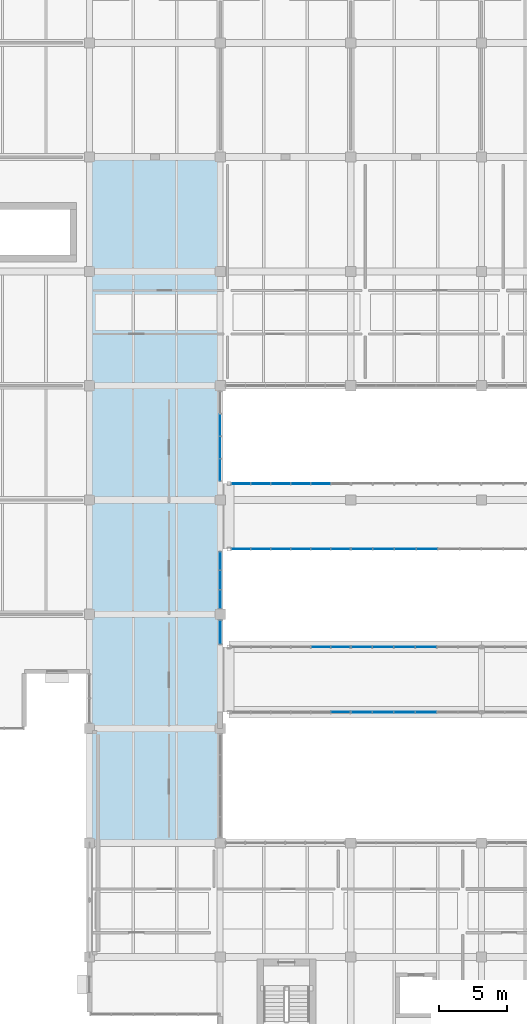
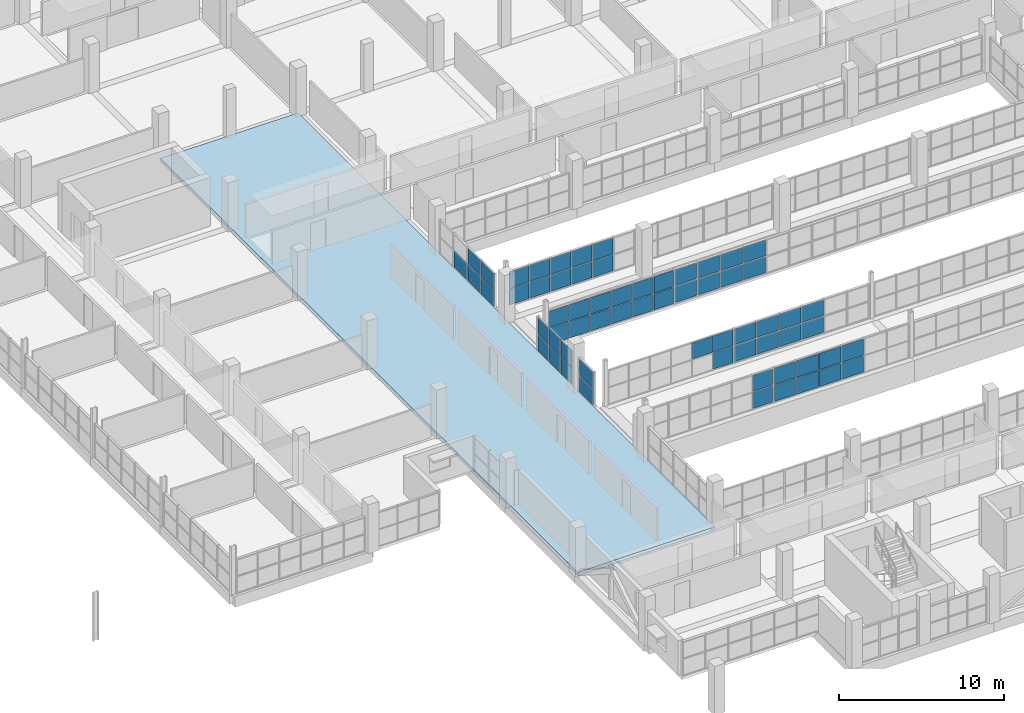
# One storey, part 100 of 147: 64 plates, 1 slab, 10 elements without a shape of their own.
"""IFC4 building model written with IfcOpenShell, lengths in metres."""

from ifc_helpers import new_model, si_unit, direction, frame, origin, origin_2d, place, context, subcontext, project, spatial, polyline, rectangle, outline, extrude, material, layer, layer_set, type_object, element, aggregate, save


model = new_model("IFC4")

# Units and contexts
model_context = context("Model", 3, precision=1e-05, world=origin(), true_north=direction((0.0, 1.0)))
body_context = subcontext(model_context, "Body", "Model", "MODEL_VIEW")
ifc_project = project(units=[si_unit("LENGTHUNIT", "METRE"), si_unit("AREAUNIT", "SQUARE_METRE"), si_unit("VOLUMEUNIT", "CUBIC_METRE"), si_unit("PLANEANGLEUNIT", "RADIAN"), si_unit("MASSUNIT", "GRAM", prefix="KILO")], contexts=[model_context])

# Site, building, storey
site_placement = place(None, origin())
site = spatial("IfcSite", under=ifc_project, at=site_placement, CompositionType="ELEMENT")
building_placement = place(site_placement, origin())
building = spatial("IfcBuilding", under=site, at=building_placement, Name="Oolite Switchyard Hospital", CompositionType="ELEMENT")
storey_placement = place(building_placement, frame((0.0, 0.0, 9.89990234375)))
storey = spatial("IfcBuildingStorey", under=building, at=storey_placement, Name="L02", CompositionType="ELEMENT", Elevation=9.89990234375)

# Curtain wall, plates
ifc_material_1 = material(Name="Thermally broken aluminum frame with laminated impact glazing", Category="aluminium")
curtain_wall_type_1 = type_object("IfcCurtainWallType", Name="CW-BRG-96X38", PredefinedType="USERDEFINED", material=ifc_material_1)
curtain_wall_1_placement = place(storey_placement, origin())
curtain_wall_1 = element("IfcCurtainWall", 1, at=curtain_wall_1_placement, inside=storey, type_object=curtain_wall_type_1, Name="L02 Unitised Curtain Wall 232", ObjectType="UNITISED", PredefinedType="USERDEFINED")
ifc_material_2 = material(Name="Insulated fluoropolymer-coated aluminum spandrel panel", Category="aluminium")
ifc_layer_1 = layer(ifc_material_2, 0.054931640625)
ifc_layer_set_1 = layer_set([ifc_layer_1], Name="CW-PNL-SPN55")
plate_type_1 = type_object("IfcPlateType", Name="CW-PNL-SPN55", PredefinedType="CURTAIN_PANEL", material=ifc_layer_set_1)
plate_1_placement = place(storey_placement, frame((151.39794921875, 39.60009765625, 1.31494140625), z_axis=(0.0, 0.0, 1.0), x_axis=(1.0, 0.0, 0.0)))
plate_1 = element("IfcPlate", 2, at=plate_1_placement, type_object=plate_type_1, Name="CW-12 panel 5.2", PredefinedType="CURTAIN_PANEL", context=body_context, shape_type="SweptSolid", body=[
    extrude(rectangle(XDim=1.407958984375, YDim=0.054931640625, at=origin_2d()), origin(), (0.0, 0.0, 1.0), 1.195068359375),
])
plate_2_placement = place(storey_placement, frame((152.85107421875, 39.60009765625, 0.06005859375), z_axis=(0.0, 0.0, 1.0), x_axis=(1.0, 0.0, 0.0)))
plate_2 = element("IfcPlate", 3, at=plate_2_placement, type_object=plate_type_1, Name="CW-12 panel 6.1", PredefinedType="CURTAIN_PANEL", context=body_context, shape_type="SweptSolid", body=[
    extrude(rectangle(XDim=1.3779296875, YDim=0.054931640625, at=origin_2d()), origin(), (0.0, 0.0, 1.0), 1.195068359375),
])
plate_3_placement = place(storey_placement, frame((152.85107421875, 39.60009765625, 1.31494140625), z_axis=(0.0, 0.0, 1.0), x_axis=(1.0, 0.0, 0.0)))
plate_3 = element("IfcPlate", 4, at=plate_3_placement, type_object=plate_type_1, Name="CW-12 panel 6.2", PredefinedType="CURTAIN_PANEL", context=body_context, shape_type="SweptSolid", body=[
    extrude(rectangle(XDim=1.3779296875, YDim=0.054931640625, at=origin_2d()), origin(), (0.0, 0.0, 1.0), 1.195068359375),
])
aggregate(curtain_wall_1, [plate_1, plate_2, plate_3])

curtain_wall_2_placement = place(storey_placement, origin())
curtain_wall_2 = element("IfcCurtainWall", 5, at=curtain_wall_2_placement, inside=storey, type_object=curtain_wall_type_1, Name="L02 Unitised Curtain Wall 302", ObjectType="UNITISED", PredefinedType="USERDEFINED")
plate_4_placement = place(storey_placement, frame((144.0, 45.9140625, 0.06005859375), z_axis=(0.0, 0.0, 1.0), x_axis=(0.0, -1.0, 0.0)))
plate_4 = element("IfcPlate", 6, at=plate_4_placement, type_object=plate_type_1, Name="CW-12 panel 1.1", PredefinedType="CURTAIN_PANEL", context=body_context, shape_type="SweptSolid", body=[
    extrude(rectangle(XDim=1.311767578125, YDim=0.054931640625, at=origin_2d()), origin(), (0.0, 0.0, 1.0), 1.195068359375),
])
plate_5_placement = place(storey_placement, frame((144.0, 45.9140625, 1.31494140625), z_axis=(0.0, 0.0, 1.0), x_axis=(0.0, -1.0, 0.0)))
plate_5 = element("IfcPlate", 7, at=plate_5_placement, type_object=plate_type_1, Name="CW-12 panel 1.2", PredefinedType="CURTAIN_PANEL", context=body_context, shape_type="SweptSolid", body=[
    extrude(rectangle(XDim=1.311767578125, YDim=0.054931640625, at=origin_2d()), origin(), (0.0, 0.0, 1.0), 1.195068359375),
])
plate_6_placement = place(storey_placement, frame((144.0, 44.514892578125, 0.06005859375), z_axis=(0.0, 0.0, 1.0), x_axis=(0.0, -1.0, 0.0)))
plate_6 = element("IfcPlate", 8, at=plate_6_placement, type_object=plate_type_1, Name="CW-12 panel 2.1", PredefinedType="CURTAIN_PANEL", context=body_context, shape_type="SweptSolid", body=[
    extrude(rectangle(XDim=1.3466796875, YDim=0.054931640625, at=origin_2d()), origin(), (0.0, 0.0, 1.0), 1.195068359375),
])
plate_7_placement = place(storey_placement, frame((144.0, 44.514892578125, 1.31494140625), z_axis=(0.0, 0.0, 1.0), x_axis=(0.0, -1.0, 0.0)))
plate_7 = element("IfcPlate", 9, at=plate_7_placement, type_object=plate_type_1, Name="CW-12 panel 2.2", PredefinedType="CURTAIN_PANEL", context=body_context, shape_type="SweptSolid", body=[
    extrude(rectangle(XDim=1.3466796875, YDim=0.054931640625, at=origin_2d()), origin(), (0.0, 0.0, 1.0), 1.195068359375),
])
plate_8_placement = place(storey_placement, frame((144.0, 43.11572265625, 0.06005859375), z_axis=(0.0, 0.0, 1.0), x_axis=(0.0, -1.0, 0.0)))
plate_8 = element("IfcPlate", 10, at=plate_8_placement, type_object=plate_type_1, Name="CW-12 panel 3.1", PredefinedType="CURTAIN_PANEL", context=body_context, shape_type="SweptSolid", body=[
    extrude(rectangle(XDim=1.311767578125, YDim=0.054931640625, at=origin_2d()), origin(), (0.0, 0.0, 1.0), 1.195068359375),
])
plate_9_placement = place(storey_placement, frame((144.0, 43.11572265625, 1.31494140625), z_axis=(0.0, 0.0, 1.0), x_axis=(0.0, -1.0, 0.0)))
plate_9 = element("IfcPlate", 11, at=plate_9_placement, type_object=plate_type_1, Name="CW-12 panel 3.2", PredefinedType="CURTAIN_PANEL", context=body_context, shape_type="SweptSolid", body=[
    extrude(rectangle(XDim=1.311767578125, YDim=0.054931640625, at=origin_2d()), origin(), (0.0, 0.0, 1.0), 1.195068359375),
])
aggregate(curtain_wall_2, [plate_4, plate_5, plate_6, plate_7, plate_8, plate_9])

curtain_wall_3_placement = place(storey_placement, origin())
curtain_wall_3 = element("IfcCurtainWall", 12, at=curtain_wall_3_placement, inside=storey, type_object=curtain_wall_type_1, Name="L02 Unitised Curtain Wall 230", ObjectType="UNITISED", PredefinedType="USERDEFINED")
ifc_layer_2 = layer(ifc_material_2, 0.070068359375)
ifc_layer_set_2 = layer_set([ifc_layer_2], Name="CW-PNL-SPN70")
plate_type_2 = type_object("IfcPlateType", Name="CW-PNL-SPN70", PredefinedType="CURTAIN_PANEL", material=ifc_layer_set_2)
plate_10_placement = place(storey_placement, frame((159.1171875, 34.800048828125, 0.06005859375), z_axis=(0.0, 0.0, 1.0), x_axis=(-1.0, 0.0, 0.0)))
plate_10 = element("IfcPlate", 13, at=plate_10_placement, type_object=plate_type_2, Name="CW-12 panel 3.1", PredefinedType="CURTAIN_PANEL", context=body_context, shape_type="SweptSolid", body=[
    extrude(rectangle(XDim=1.50634765625, YDim=0.070068359375, at=origin_2d()), origin(), (0.0, 0.0, 1.0), 1.195068359375),
])
plate_11_placement = place(storey_placement, frame((159.1171875, 34.800048828125, 1.31494140625), z_axis=(0.0, 0.0, 1.0), x_axis=(-1.0, 0.0, 0.0)))
plate_11 = element("IfcPlate", 14, at=plate_11_placement, type_object=plate_type_2, Name="CW-12 panel 3.2", PredefinedType="CURTAIN_PANEL", context=body_context, shape_type="SweptSolid", body=[
    extrude(rectangle(XDim=1.50634765625, YDim=0.070068359375, at=origin_2d()), origin(), (0.0, 0.0, 1.0), 1.195068359375),
])
plate_12_placement = place(storey_placement, frame((157.540771484375, 34.800048828125, 0.06005859375), z_axis=(0.0, 0.0, 1.0), x_axis=(-1.0, 0.0, 0.0)))
plate_12 = element("IfcPlate", 15, at=plate_12_placement, type_object=plate_type_2, Name="CW-12 panel 4.1", PredefinedType="CURTAIN_PANEL", context=body_context, shape_type="SweptSolid", body=[
    extrude(rectangle(XDim=1.50634765625, YDim=0.070068359375, at=origin_2d()), origin(), (0.0, 0.0, 1.0), 1.195068359375),
])
plate_13_placement = place(storey_placement, frame((157.540771484375, 34.800048828125, 1.31494140625), z_axis=(0.0, 0.0, 1.0), x_axis=(-1.0, 0.0, 0.0)))
plate_13 = element("IfcPlate", 16, at=plate_13_placement, type_object=plate_type_2, Name="CW-12 panel 4.2", PredefinedType="CURTAIN_PANEL", context=body_context, shape_type="SweptSolid", body=[
    extrude(rectangle(XDim=1.50634765625, YDim=0.070068359375, at=origin_2d()), origin(), (0.0, 0.0, 1.0), 1.195068359375),
])
plate_14_placement = place(storey_placement, frame((155.964599609375, 34.800048828125, 0.06005859375), z_axis=(0.0, 0.0, 1.0), x_axis=(-1.0, 0.0, 0.0)))
plate_14 = element("IfcPlate", 17, at=plate_14_placement, type_object=plate_type_2, Name="CW-12 panel 5.1", PredefinedType="CURTAIN_PANEL", context=body_context, shape_type="SweptSolid", body=[
    extrude(rectangle(XDim=1.50634765625, YDim=0.070068359375, at=origin_2d()), origin(), (0.0, 0.0, 1.0), 1.195068359375),
])
plate_15_placement = place(storey_placement, frame((155.964599609375, 34.800048828125, 1.31494140625), z_axis=(0.0, 0.0, 1.0), x_axis=(-1.0, 0.0, 0.0)))
plate_15 = element("IfcPlate", 18, at=plate_15_placement, type_object=plate_type_2, Name="CW-12 panel 5.2", PredefinedType="CURTAIN_PANEL", context=body_context, shape_type="SweptSolid", body=[
    extrude(rectangle(XDim=1.50634765625, YDim=0.070068359375, at=origin_2d()), origin(), (0.0, 0.0, 1.0), 1.195068359375),
])
plate_16_placement = place(storey_placement, frame((154.40576171875, 34.800048828125, 0.06005859375), z_axis=(0.0, 0.0, 1.0), x_axis=(-1.0, 0.0, 0.0)))
plate_16 = element("IfcPlate", 19, at=plate_16_placement, type_object=plate_type_2, Name="CW-12 panel 6.1", PredefinedType="CURTAIN_PANEL", context=body_context, shape_type="SweptSolid", body=[
    extrude(rectangle(XDim=1.471435546875, YDim=0.070068359375, at=origin_2d()), origin(), (0.0, 0.0, 1.0), 1.195068359375),
])
plate_17_placement = place(storey_placement, frame((154.40576171875, 34.800048828125, 1.31494140625), z_axis=(0.0, 0.0, 1.0), x_axis=(-1.0, 0.0, 0.0)))
plate_17 = element("IfcPlate", 20, at=plate_17_placement, type_object=plate_type_2, Name="CW-12 panel 6.2", PredefinedType="CURTAIN_PANEL", context=body_context, shape_type="SweptSolid", body=[
    extrude(rectangle(XDim=1.471435546875, YDim=0.070068359375, at=origin_2d()), origin(), (0.0, 0.0, 1.0), 1.195068359375),
])
aggregate(curtain_wall_3, [plate_10, plate_11, plate_12, plate_13, plate_14, plate_15, plate_16, plate_17])

curtain_wall_4_placement = place(storey_placement, origin())
curtain_wall_4 = element("IfcCurtainWall", 21, at=curtain_wall_4_placement, inside=storey, type_object=curtain_wall_type_1, Name="L02 Unitised Curtain Wall 236", ObjectType="UNITISED", PredefinedType="USERDEFINED")
plate_18_placement = place(storey_placement, frame((152.848388671875, 46.800048828125, 0.06005859375), z_axis=(0.0, 0.0, 1.0), x_axis=(-1.0, 0.0, 0.0)))
plate_18 = element("IfcPlate", 22, at=plate_18_placement, type_object=plate_type_2, Name="CW-12 panel 1.1", PredefinedType="CURTAIN_PANEL", context=body_context, shape_type="SweptSolid", body=[
    extrude(rectangle(XDim=1.363037109375, YDim=0.070068359375, at=origin_2d()), origin(), (0.0, 0.0, 1.0), 1.195068359375),
])
plate_19_placement = place(storey_placement, frame((152.848388671875, 46.800048828125, 1.31494140625), z_axis=(0.0, 0.0, 1.0), x_axis=(-1.0, 0.0, 0.0)))
plate_19 = element("IfcPlate", 23, at=plate_19_placement, type_object=plate_type_2, Name="CW-12 panel 1.2", PredefinedType="CURTAIN_PANEL", context=body_context, shape_type="SweptSolid", body=[
    extrude(rectangle(XDim=1.363037109375, YDim=0.070068359375, at=origin_2d()), origin(), (0.0, 0.0, 1.0), 1.195068359375),
])
plate_20_placement = place(storey_placement, frame((151.39794921875, 46.800048828125, 0.06005859375), z_axis=(0.0, 0.0, 1.0), x_axis=(-1.0, 0.0, 0.0)))
plate_20 = element("IfcPlate", 24, at=plate_20_placement, type_object=plate_type_2, Name="CW-12 panel 2.1", PredefinedType="CURTAIN_PANEL", context=body_context, shape_type="SweptSolid", body=[
    extrude(rectangle(XDim=1.39794921875, YDim=0.070068359375, at=origin_2d()), origin(), (0.0, 0.0, 1.0), 1.195068359375),
])
plate_21_placement = place(storey_placement, frame((151.39794921875, 46.800048828125, 1.31494140625), z_axis=(0.0, 0.0, 1.0), x_axis=(-1.0, 0.0, 0.0)))
plate_21 = element("IfcPlate", 25, at=plate_21_placement, type_object=plate_type_2, Name="CW-12 panel 2.2", PredefinedType="CURTAIN_PANEL", context=body_context, shape_type="SweptSolid", body=[
    extrude(rectangle(XDim=1.39794921875, YDim=0.070068359375, at=origin_2d()), origin(), (0.0, 0.0, 1.0), 1.195068359375),
])
plate_22_placement = place(storey_placement, frame((149.929931640625, 46.800048828125, 0.06005859375), z_axis=(0.0, 0.0, 1.0), x_axis=(-1.0, 0.0, 0.0)))
plate_22 = element("IfcPlate", 26, at=plate_22_placement, type_object=plate_type_2, Name="CW-12 panel 3.1", PredefinedType="CURTAIN_PANEL", context=body_context, shape_type="SweptSolid", body=[
    extrude(rectangle(XDim=1.39794921875, YDim=0.070068359375, at=origin_2d()), origin(), (0.0, 0.0, 1.0), 1.195068359375),
])
plate_23_placement = place(storey_placement, frame((149.929931640625, 46.800048828125, 1.31494140625), z_axis=(0.0, 0.0, 1.0), x_axis=(-1.0, 0.0, 0.0)))
plate_23 = element("IfcPlate", 27, at=plate_23_placement, type_object=plate_type_2, Name="CW-12 panel 3.2", PredefinedType="CURTAIN_PANEL", context=body_context, shape_type="SweptSolid", body=[
    extrude(rectangle(XDim=1.39794921875, YDim=0.070068359375, at=origin_2d()), origin(), (0.0, 0.0, 1.0), 1.195068359375),
])
plate_24_placement = place(storey_placement, frame((148.4619140625, 46.800048828125, 0.06005859375), z_axis=(0.0, 0.0, 1.0), x_axis=(-1.0, 0.0, 0.0)))
plate_24 = element("IfcPlate", 28, at=plate_24_placement, type_object=plate_type_2, Name="CW-12 panel 4.1", PredefinedType="CURTAIN_PANEL", context=body_context, shape_type="SweptSolid", body=[
    extrude(rectangle(XDim=1.39794921875, YDim=0.070068359375, at=origin_2d()), origin(), (0.0, 0.0, 1.0), 1.195068359375),
])
plate_25_placement = place(storey_placement, frame((148.4619140625, 46.800048828125, 1.31494140625), z_axis=(0.0, 0.0, 1.0), x_axis=(-1.0, 0.0, 0.0)))
plate_25 = element("IfcPlate", 29, at=plate_25_placement, type_object=plate_type_2, Name="CW-12 panel 4.2", PredefinedType="CURTAIN_PANEL", context=body_context, shape_type="SweptSolid", body=[
    extrude(rectangle(XDim=1.39794921875, YDim=0.070068359375, at=origin_2d()), origin(), (0.0, 0.0, 1.0), 1.195068359375),
])
plate_26_placement = place(storey_placement, frame((146.993896484375, 46.800048828125, 0.06005859375), z_axis=(0.0, 0.0, 1.0), x_axis=(-1.0, 0.0, 0.0)))
plate_26 = element("IfcPlate", 30, at=plate_26_placement, type_object=plate_type_2, Name="CW-12 panel 5.1", PredefinedType="CURTAIN_PANEL", context=body_context, shape_type="SweptSolid", body=[
    extrude(rectangle(XDim=1.39794921875, YDim=0.070068359375, at=origin_2d()), origin(), (0.0, 0.0, 1.0), 1.195068359375),
])
plate_27_placement = place(storey_placement, frame((146.993896484375, 46.800048828125, 1.31494140625), z_axis=(0.0, 0.0, 1.0), x_axis=(-1.0, 0.0, 0.0)))
plate_27 = element("IfcPlate", 31, at=plate_27_placement, type_object=plate_type_2, Name="CW-12 panel 5.2", PredefinedType="CURTAIN_PANEL", context=body_context, shape_type="SweptSolid", body=[
    extrude(rectangle(XDim=1.39794921875, YDim=0.070068359375, at=origin_2d()), origin(), (0.0, 0.0, 1.0), 1.195068359375),
])
plate_28_placement = place(storey_placement, frame((145.54345703125, 46.800048828125, 0.06005859375), z_axis=(0.0, 0.0, 1.0), x_axis=(-1.0, 0.0, 0.0)))
plate_28 = element("IfcPlate", 32, at=plate_28_placement, type_object=plate_type_2, Name="CW-12 panel 6.1", PredefinedType="CURTAIN_PANEL", context=body_context, shape_type="SweptSolid", body=[
    extrude(rectangle(XDim=1.363037109375, YDim=0.070068359375, at=origin_2d()), origin(), (0.0, 0.0, 1.0), 1.195068359375),
])
plate_29_placement = place(storey_placement, frame((145.54345703125, 46.800048828125, 1.31494140625), z_axis=(0.0, 0.0, 1.0), x_axis=(-1.0, 0.0, 0.0)))
plate_29 = element("IfcPlate", 33, at=plate_29_placement, type_object=plate_type_2, Name="CW-12 panel 6.2", PredefinedType="CURTAIN_PANEL", context=body_context, shape_type="SweptSolid", body=[
    extrude(rectangle(XDim=1.363037109375, YDim=0.070068359375, at=origin_2d()), origin(), (0.0, 0.0, 1.0), 1.195068359375),
])
aggregate(curtain_wall_4, [plate_18, plate_19, plate_20, plate_21, plate_22, plate_23, plate_24, plate_25, plate_26, plate_27, plate_28, plate_29])

curtain_wall_5_placement = place(storey_placement, origin())
curtain_wall_5 = element("IfcCurtainWall", 34, at=curtain_wall_5_placement, inside=storey, type_object=curtain_wall_type_1, Name="L02 Unitised Curtain Wall 239", ObjectType="UNITISED", PredefinedType="USERDEFINED")
plate_30_placement = place(storey_placement, frame((145.54345703125, 51.60009765625, 0.0751953125), z_axis=(0.0, 0.0, 1.0), x_axis=(1.0, 0.0, 0.0)))
plate_30 = element("IfcPlate", 35, at=plate_30_placement, type_object=plate_type_2, Name="CW-12 panel 1.1", PredefinedType="CURTAIN_PANEL", context=body_context, shape_type="SweptSolid", body=[
    extrude(rectangle(XDim=1.363037109375, YDim=0.070068359375, at=origin_2d()), origin(), (0.0, 0.0, 1.0), 1.172607421875),
])
plate_31_placement = place(storey_placement, frame((145.54345703125, 51.60009765625, 1.32275390625), z_axis=(0.0, 0.0, 1.0), x_axis=(1.0, 0.0, 0.0)))
plate_31 = element("IfcPlate", 36, at=plate_31_placement, type_object=plate_type_2, Name="CW-12 panel 1.2", PredefinedType="CURTAIN_PANEL", context=body_context, shape_type="SweptSolid", body=[
    extrude(rectangle(XDim=1.363037109375, YDim=0.070068359375, at=origin_2d()), origin(), (0.0, 0.0, 1.0), 1.172607421875),
])
plate_32_placement = place(storey_placement, frame((146.993896484375, 51.60009765625, 0.0751953125), z_axis=(0.0, 0.0, 1.0), x_axis=(1.0, 0.0, 0.0)))
plate_32 = element("IfcPlate", 37, at=plate_32_placement, type_object=plate_type_2, Name="CW-12 panel 2.1", PredefinedType="CURTAIN_PANEL", context=body_context, shape_type="SweptSolid", body=[
    extrude(rectangle(XDim=1.39794921875, YDim=0.070068359375, at=origin_2d()), origin(), (0.0, 0.0, 1.0), 1.172607421875),
])
plate_33_placement = place(storey_placement, frame((146.993896484375, 51.60009765625, 1.32275390625), z_axis=(0.0, 0.0, 1.0), x_axis=(1.0, 0.0, 0.0)))
plate_33 = element("IfcPlate", 38, at=plate_33_placement, type_object=plate_type_2, Name="CW-12 panel 2.2", PredefinedType="CURTAIN_PANEL", context=body_context, shape_type="SweptSolid", body=[
    extrude(rectangle(XDim=1.39794921875, YDim=0.070068359375, at=origin_2d()), origin(), (0.0, 0.0, 1.0), 1.172607421875),
])
plate_34_placement = place(storey_placement, frame((148.4619140625, 51.60009765625, 0.0751953125), z_axis=(0.0, 0.0, 1.0), x_axis=(1.0, 0.0, 0.0)))
plate_34 = element("IfcPlate", 39, at=plate_34_placement, type_object=plate_type_2, Name="CW-12 panel 3.1", PredefinedType="CURTAIN_PANEL", context=body_context, shape_type="SweptSolid", body=[
    extrude(rectangle(XDim=1.39794921875, YDim=0.070068359375, at=origin_2d()), origin(), (0.0, 0.0, 1.0), 1.172607421875),
])
plate_35_placement = place(storey_placement, frame((148.4619140625, 51.60009765625, 1.32275390625), z_axis=(0.0, 0.0, 1.0), x_axis=(1.0, 0.0, 0.0)))
plate_35 = element("IfcPlate", 40, at=plate_35_placement, type_object=plate_type_2, Name="CW-12 panel 3.2", PredefinedType="CURTAIN_PANEL", context=body_context, shape_type="SweptSolid", body=[
    extrude(rectangle(XDim=1.39794921875, YDim=0.070068359375, at=origin_2d()), origin(), (0.0, 0.0, 1.0), 1.172607421875),
])
plate_36_placement = place(storey_placement, frame((149.929931640625, 51.60009765625, 0.0751953125), z_axis=(0.0, 0.0, 1.0), x_axis=(1.0, 0.0, 0.0)))
plate_36 = element("IfcPlate", 41, at=plate_36_placement, type_object=plate_type_2, Name="CW-12 panel 4.1", PredefinedType="CURTAIN_PANEL", context=body_context, shape_type="SweptSolid", body=[
    extrude(rectangle(XDim=1.39794921875, YDim=0.070068359375, at=origin_2d()), origin(), (0.0, 0.0, 1.0), 1.172607421875),
])
plate_37_placement = place(storey_placement, frame((149.929931640625, 51.60009765625, 1.32275390625), z_axis=(0.0, 0.0, 1.0), x_axis=(1.0, 0.0, 0.0)))
plate_37 = element("IfcPlate", 42, at=plate_37_placement, type_object=plate_type_2, Name="CW-12 panel 4.2", PredefinedType="CURTAIN_PANEL", context=body_context, shape_type="SweptSolid", body=[
    extrude(rectangle(XDim=1.39794921875, YDim=0.070068359375, at=origin_2d()), origin(), (0.0, 0.0, 1.0), 1.172607421875),
])
plate_38_placement = place(storey_placement, frame((151.39794921875, 51.60009765625, 0.0751953125), z_axis=(0.0, 0.0, 1.0), x_axis=(1.0, 0.0, 0.0)))
plate_38 = element("IfcPlate", 43, at=plate_38_placement, type_object=plate_type_2, Name="CW-12 panel 5.1", PredefinedType="CURTAIN_PANEL", context=body_context, shape_type="SweptSolid", body=[
    extrude(rectangle(XDim=1.39794921875, YDim=0.070068359375, at=origin_2d()), origin(), (0.0, 0.0, 1.0), 1.172607421875),
])
plate_39_placement = place(storey_placement, frame((151.39794921875, 51.60009765625, 1.32275390625), z_axis=(0.0, 0.0, 1.0), x_axis=(1.0, 0.0, 0.0)))
plate_39 = element("IfcPlate", 44, at=plate_39_placement, type_object=plate_type_2, Name="CW-12 panel 5.2", PredefinedType="CURTAIN_PANEL", context=body_context, shape_type="SweptSolid", body=[
    extrude(rectangle(XDim=1.39794921875, YDim=0.070068359375, at=origin_2d()), origin(), (0.0, 0.0, 1.0), 1.172607421875),
])
aggregate(curtain_wall_5, [plate_30, plate_31, plate_32, plate_33, plate_34, plate_35, plate_36, plate_37, plate_38, plate_39])

curtain_wall_6_placement = place(storey_placement, origin())
curtain_wall_6 = element("IfcCurtainWall", 45, at=curtain_wall_6_placement, inside=storey, type_object=curtain_wall_type_1, Name="L02 Unitised Curtain Wall 303", ObjectType="UNITISED", PredefinedType="USERDEFINED")
plate_40_placement = place(storey_placement, frame((144.0, 40.68505859375, 0.0751953125), z_axis=(0.0, 0.0, 1.0), x_axis=(0.0, -1.0, 0.0)))
plate_40 = element("IfcPlate", 46, at=plate_40_placement, type_object=plate_type_2, Name="CW-12 panel 1.1", PredefinedType="CURTAIN_PANEL", context=body_context, shape_type="SweptSolid", body=[
    extrude(rectangle(XDim=1.699951171875, YDim=0.070068359375, at=origin_2d()), origin(), (0.0, 0.0, 1.0), 1.172607421875),
])
plate_41_placement = place(storey_placement, frame((144.0, 40.68505859375, 1.32275390625), z_axis=(0.0, 0.0, 1.0), x_axis=(0.0, -1.0, 0.0)))
plate_41 = element("IfcPlate", 47, at=plate_41_placement, type_object=plate_type_2, Name="CW-12 panel 1.2", PredefinedType="CURTAIN_PANEL", context=body_context, shape_type="SweptSolid", body=[
    extrude(rectangle(XDim=1.699951171875, YDim=0.070068359375, at=origin_2d()), origin(), (0.0, 0.0, 1.0), 1.172607421875),
])
aggregate(curtain_wall_6, [plate_40, plate_41])

curtain_wall_7_placement = place(storey_placement, origin())
curtain_wall_7 = element("IfcCurtainWall", 48, at=curtain_wall_7_placement, inside=storey, type_object=curtain_wall_type_1, Name="L02 Unitised Curtain Wall 233", ObjectType="UNITISED", PredefinedType="USERDEFINED")
ifc_material_3 = material(Name="Laminated hurricane-impact insulated glazing unit", Category="glass")
ifc_layer_3 = layer(ifc_material_3, 0.028076171875)
ifc_layer_set_3 = layer_set([ifc_layer_3], Name="CW-PNL-VIS28")
plate_type_3 = type_object("IfcPlateType", Name="CW-PNL-VIS28", PredefinedType="CURTAIN_PANEL", material=ifc_layer_set_3)
plate_42_placement = place(storey_placement, frame((154.40576171875, 39.60009765625, 0.0751953125), z_axis=(0.0, 0.0, 1.0), x_axis=(1.0, 0.0, 0.0)))
plate_42 = element("IfcPlate", 49, at=plate_42_placement, type_object=plate_type_3, Name="CW-12 panel 1.1", PredefinedType="CURTAIN_PANEL", context=body_context, shape_type="SweptSolid", body=[
    extrude(rectangle(XDim=1.471435546875, YDim=0.028076171875, at=origin_2d()), origin(), (0.0, 0.0, 1.0), 1.172607421875),
])
plate_43_placement = place(storey_placement, frame((154.40576171875, 39.60009765625, 1.32275390625), z_axis=(0.0, 0.0, 1.0), x_axis=(1.0, 0.0, 0.0)))
plate_43 = element("IfcPlate", 50, at=plate_43_placement, type_object=plate_type_3, Name="CW-12 panel 1.2", PredefinedType="CURTAIN_PANEL", context=body_context, shape_type="SweptSolid", body=[
    extrude(rectangle(XDim=1.471435546875, YDim=0.028076171875, at=origin_2d()), origin(), (0.0, 0.0, 1.0), 1.172607421875),
])
plate_44_placement = place(storey_placement, frame((155.964599609375, 39.60009765625, 0.0751953125), z_axis=(0.0, 0.0, 1.0), x_axis=(1.0, 0.0, 0.0)))
plate_44 = element("IfcPlate", 51, at=plate_44_placement, type_object=plate_type_3, Name="CW-12 panel 2.1", PredefinedType="CURTAIN_PANEL", context=body_context, shape_type="SweptSolid", body=[
    extrude(rectangle(XDim=1.50634765625, YDim=0.028076171875, at=origin_2d()), origin(), (0.0, 0.0, 1.0), 1.172607421875),
])
plate_45_placement = place(storey_placement, frame((155.964599609375, 39.60009765625, 1.32275390625), z_axis=(0.0, 0.0, 1.0), x_axis=(1.0, 0.0, 0.0)))
plate_45 = element("IfcPlate", 52, at=plate_45_placement, type_object=plate_type_3, Name="CW-12 panel 2.2", PredefinedType="CURTAIN_PANEL", context=body_context, shape_type="SweptSolid", body=[
    extrude(rectangle(XDim=1.50634765625, YDim=0.028076171875, at=origin_2d()), origin(), (0.0, 0.0, 1.0), 1.172607421875),
])
plate_46_placement = place(storey_placement, frame((157.540771484375, 39.60009765625, 0.0751953125), z_axis=(0.0, 0.0, 1.0), x_axis=(1.0, 0.0, 0.0)))
plate_46 = element("IfcPlate", 53, at=plate_46_placement, type_object=plate_type_3, Name="CW-12 panel 3.1", PredefinedType="CURTAIN_PANEL", context=body_context, shape_type="SweptSolid", body=[
    extrude(rectangle(XDim=1.50634765625, YDim=0.028076171875, at=origin_2d()), origin(), (0.0, 0.0, 1.0), 1.172607421875),
])
plate_47_placement = place(storey_placement, frame((157.540771484375, 39.60009765625, 1.32275390625), z_axis=(0.0, 0.0, 1.0), x_axis=(1.0, 0.0, 0.0)))
plate_47 = element("IfcPlate", 54, at=plate_47_placement, type_object=plate_type_3, Name="CW-12 panel 3.2", PredefinedType="CURTAIN_PANEL", context=body_context, shape_type="SweptSolid", body=[
    extrude(rectangle(XDim=1.50634765625, YDim=0.028076171875, at=origin_2d()), origin(), (0.0, 0.0, 1.0), 1.172607421875),
])
plate_48_placement = place(storey_placement, frame((159.1171875, 39.60009765625, 0.0751953125), z_axis=(0.0, 0.0, 1.0), x_axis=(1.0, 0.0, 0.0)))
plate_48 = element("IfcPlate", 55, at=plate_48_placement, type_object=plate_type_3, Name="CW-12 panel 4.1", PredefinedType="CURTAIN_PANEL", context=body_context, shape_type="SweptSolid", body=[
    extrude(rectangle(XDim=1.50634765625, YDim=0.028076171875, at=origin_2d()), origin(), (0.0, 0.0, 1.0), 1.172607421875),
])
plate_49_placement = place(storey_placement, frame((159.1171875, 39.60009765625, 1.32275390625), z_axis=(0.0, 0.0, 1.0), x_axis=(1.0, 0.0, 0.0)))
plate_49 = element("IfcPlate", 56, at=plate_49_placement, type_object=plate_type_3, Name="CW-12 panel 4.2", PredefinedType="CURTAIN_PANEL", context=body_context, shape_type="SweptSolid", body=[
    extrude(rectangle(XDim=1.50634765625, YDim=0.028076171875, at=origin_2d()), origin(), (0.0, 0.0, 1.0), 1.172607421875),
])
aggregate(curtain_wall_7, [plate_42, plate_43, plate_44, plate_45, plate_46, plate_47, plate_48, plate_49])

curtain_wall_8_placement = place(storey_placement, origin())
curtain_wall_8 = element("IfcCurtainWall", 57, at=curtain_wall_8_placement, inside=storey, type_object=curtain_wall_type_1, Name="L02 Unitised Curtain Wall 237", ObjectType="UNITISED", PredefinedType="USERDEFINED")
ifc_layer_4 = layer(ifc_material_3, 0.031982421875)
ifc_layer_set_4 = layer_set([ifc_layer_4], Name="CW-PNL-VIS32")
plate_type_4 = type_object("IfcPlateType", Name="CW-PNL-VIS32", PredefinedType="CURTAIN_PANEL", material=ifc_layer_set_4)
plate_50_placement = place(storey_placement, frame((159.199951171875, 46.800048828125, 0.0751953125), z_axis=(0.0, 0.0, 1.0), x_axis=(-1.0, 0.0, 0.0)))
plate_50 = element("IfcPlate", 58, at=plate_50_placement, type_object=plate_type_4, Name="CW-12 panel 9.1", PredefinedType="CURTAIN_PANEL", context=body_context, shape_type="SweptSolid", body=[
    extrude(rectangle(XDim=1.52490234375, YDim=0.031982421875, at=origin_2d()), origin(), (0.0, 0.0, 1.0), 1.172607421875),
])
plate_51_placement = place(storey_placement, frame((159.199951171875, 46.800048828125, 1.32275390625), z_axis=(0.0, 0.0, 1.0), x_axis=(-1.0, 0.0, 0.0)))
plate_51 = element("IfcPlate", 59, at=plate_51_placement, type_object=plate_type_4, Name="CW-12 panel 9.2", PredefinedType="CURTAIN_PANEL", context=body_context, shape_type="SweptSolid", body=[
    extrude(rectangle(XDim=1.52490234375, YDim=0.031982421875, at=origin_2d()), origin(), (0.0, 0.0, 1.0), 1.172607421875),
])
plate_52_placement = place(storey_placement, frame((157.60009765625, 46.800048828125, 0.0751953125), z_axis=(0.0, 0.0, 1.0), x_axis=(-1.0, 0.0, 0.0)))
plate_52 = element("IfcPlate", 60, at=plate_52_placement, type_object=plate_type_4, Name="CW-12 panel 10.1", PredefinedType="CURTAIN_PANEL", context=body_context, shape_type="SweptSolid", body=[
    extrude(rectangle(XDim=1.52490234375, YDim=0.031982421875, at=origin_2d()), origin(), (0.0, 0.0, 1.0), 1.172607421875),
])
plate_53_placement = place(storey_placement, frame((157.60009765625, 46.800048828125, 1.32275390625), z_axis=(0.0, 0.0, 1.0), x_axis=(-1.0, 0.0, 0.0)))
plate_53 = element("IfcPlate", 61, at=plate_53_placement, type_object=plate_type_4, Name="CW-12 panel 10.2", PredefinedType="CURTAIN_PANEL", context=body_context, shape_type="SweptSolid", body=[
    extrude(rectangle(XDim=1.52490234375, YDim=0.031982421875, at=origin_2d()), origin(), (0.0, 0.0, 1.0), 1.172607421875),
])
plate_54_placement = place(storey_placement, frame((156.0, 46.800048828125, 0.0751953125), z_axis=(0.0, 0.0, 1.0), x_axis=(-1.0, 0.0, 0.0)))
plate_54 = element("IfcPlate", 62, at=plate_54_placement, type_object=plate_type_4, Name="CW-12 panel 11.1", PredefinedType="CURTAIN_PANEL", context=body_context, shape_type="SweptSolid", body=[
    extrude(rectangle(XDim=1.52490234375, YDim=0.031982421875, at=origin_2d()), origin(), (0.0, 0.0, 1.0), 1.172607421875),
])
plate_55_placement = place(storey_placement, frame((156.0, 46.800048828125, 1.32275390625), z_axis=(0.0, 0.0, 1.0), x_axis=(-1.0, 0.0, 0.0)))
plate_55 = element("IfcPlate", 63, at=plate_55_placement, type_object=plate_type_4, Name="CW-12 panel 11.2", PredefinedType="CURTAIN_PANEL", context=body_context, shape_type="SweptSolid", body=[
    extrude(rectangle(XDim=1.52490234375, YDim=0.031982421875, at=origin_2d()), origin(), (0.0, 0.0, 1.0), 1.172607421875),
])
plate_56_placement = place(storey_placement, frame((154.418701171875, 46.800048828125, 0.0751953125), z_axis=(0.0, 0.0, 1.0), x_axis=(-1.0, 0.0, 0.0)))
plate_56 = element("IfcPlate", 64, at=plate_56_placement, type_object=plate_type_4, Name="CW-12 panel 12.1", PredefinedType="CURTAIN_PANEL", context=body_context, shape_type="SweptSolid", body=[
    extrude(rectangle(XDim=1.487548828125, YDim=0.031982421875, at=origin_2d()), origin(), (0.0, 0.0, 1.0), 1.172607421875),
])
plate_57_placement = place(storey_placement, frame((154.418701171875, 46.800048828125, 1.32275390625), z_axis=(0.0, 0.0, 1.0), x_axis=(-1.0, 0.0, 0.0)))
plate_57 = element("IfcPlate", 65, at=plate_57_placement, type_object=plate_type_4, Name="CW-12 panel 12.2", PredefinedType="CURTAIN_PANEL", context=body_context, shape_type="SweptSolid", body=[
    extrude(rectangle(XDim=1.487548828125, YDim=0.031982421875, at=origin_2d()), origin(), (0.0, 0.0, 1.0), 1.172607421875),
])
aggregate(curtain_wall_8, [plate_50, plate_51, plate_52, plate_53, plate_54, plate_55, plate_56, plate_57])

curtain_wall_type_2 = type_object("IfcCurtainWallType", Name="CW-UNIT-84X36", PredefinedType="USERDEFINED", material=ifc_material_1)
curtain_wall_9_placement = place(storey_placement, origin())
curtain_wall_9 = element("IfcCurtainWall", 66, at=curtain_wall_9_placement, inside=storey, type_object=curtain_wall_type_2, Name="L02 Unitised Curtain Wall 304", ObjectType="UNITISED", PredefinedType="USERDEFINED")
plate_58_placement = place(storey_placement, frame((144.0, 55.916259765625, 0.06005859375), z_axis=(0.0, 0.0, 1.0), x_axis=(0.0, -1.0, 0.0)))
plate_58 = element("IfcPlate", 67, at=plate_58_placement, type_object=plate_type_4, Name="CW-08 panel 2.1", PredefinedType="CURTAIN_PANEL", context=body_context, shape_type="SweptSolid", body=[
    extrude(rectangle(XDim=1.6025390625, YDim=0.031982421875, at=origin_2d()), origin(), (0.0, 0.0, 1.0), 1.195068359375),
])
plate_59_placement = place(storey_placement, frame((144.0, 54.253662109375, 0.06005859375), z_axis=(0.0, 0.0, 1.0), x_axis=(0.0, -1.0, 0.0)))
plate_59 = element("IfcPlate", 68, at=plate_59_placement, type_object=plate_type_4, Name="CW-08 panel 3.1", PredefinedType="CURTAIN_PANEL", context=body_context, shape_type="SweptSolid", body=[
    extrude(rectangle(XDim=1.6025390625, YDim=0.031982421875, at=origin_2d()), origin(), (0.0, 0.0, 1.0), 1.195068359375),
])
plate_60_placement = place(storey_placement, frame((144.0, 54.253662109375, 1.31494140625), z_axis=(0.0, 0.0, 1.0), x_axis=(0.0, -1.0, 0.0)))
plate_60 = element("IfcPlate", 69, at=plate_60_placement, type_object=plate_type_4, Name="CW-08 panel 3.2", PredefinedType="CURTAIN_PANEL", context=body_context, shape_type="SweptSolid", body=[
    extrude(rectangle(XDim=1.6025390625, YDim=0.031982421875, at=origin_2d()), origin(), (0.0, 0.0, 1.0), 1.195068359375),
])
plate_61_placement = place(storey_placement, frame((144.0, 52.606201171875, 0.06005859375), z_axis=(0.0, 0.0, 1.0), x_axis=(0.0, -1.0, 0.0)))
plate_61 = element("IfcPlate", 70, at=plate_61_placement, type_object=plate_type_4, Name="CW-08 panel 4.1", PredefinedType="CURTAIN_PANEL", context=body_context, shape_type="SweptSolid", body=[
    extrude(rectangle(XDim=1.572509765625, YDim=0.031982421875, at=origin_2d()), origin(), (0.0, 0.0, 1.0), 1.195068359375),
])
plate_62_placement = place(storey_placement, frame((144.0, 52.606201171875, 1.31494140625), z_axis=(0.0, 0.0, 1.0), x_axis=(0.0, -1.0, 0.0)))
plate_62 = element("IfcPlate", 71, at=plate_62_placement, type_object=plate_type_4, Name="CW-08 panel 4.2", PredefinedType="CURTAIN_PANEL", context=body_context, shape_type="SweptSolid", body=[
    extrude(rectangle(XDim=1.572509765625, YDim=0.031982421875, at=origin_2d()), origin(), (0.0, 0.0, 1.0), 1.195068359375),
])
aggregate(curtain_wall_9, [plate_58, plate_59, plate_60, plate_61, plate_62])

curtain_wall_10_placement = place(storey_placement, origin())
curtain_wall_10 = element("IfcCurtainWall", 72, at=curtain_wall_10_placement, inside=storey, type_object=curtain_wall_type_1, Name="L02 Unitised Curtain Wall 228", ObjectType="UNITISED", PredefinedType="USERDEFINED")
ifc_layer_5 = layer(ifc_material_3, 0.035888671875)
ifc_layer_set_5 = layer_set([ifc_layer_5], Name="CW-PNL-VIS36")
plate_type_5 = type_object("IfcPlateType", Name="CW-PNL-VIS36", PredefinedType="CURTAIN_PANEL", material=ifc_layer_set_5)
plate_63_placement = place(storey_placement, frame((152.84716796875, 34.800048828125, 0.06005859375), z_axis=(0.0, 0.0, 1.0), x_axis=(-1.0, 0.0, 0.0)))
plate_63 = element("IfcPlate", 73, at=plate_63_placement, type_object=plate_type_5, Name="CW-12 panel 1.1", PredefinedType="CURTAIN_PANEL", context=body_context, shape_type="SweptSolid", body=[
    extrude(rectangle(XDim=1.35546875, YDim=0.035888671875, at=origin_2d()), origin(), (0.0, 0.0, 1.0), 1.195068359375),
])
plate_64_placement = place(storey_placement, frame((152.84716796875, 34.800048828125, 1.31494140625), z_axis=(0.0, 0.0, 1.0), x_axis=(-1.0, 0.0, 0.0)))
plate_64 = element("IfcPlate", 74, at=plate_64_placement, type_object=plate_type_5, Name="CW-12 panel 1.2", PredefinedType="CURTAIN_PANEL", context=body_context, shape_type="SweptSolid", body=[
    extrude(rectangle(XDim=1.35546875, YDim=0.035888671875, at=origin_2d()), origin(), (0.0, 0.0, 1.0), 1.195068359375),
])
aggregate(curtain_wall_10, [plate_63, plate_64])

# Slab
ifc_material_4 = material(Name="Concrete C40/50", Category="concrete")
ifc_layer_6 = layer(ifc_material_4, 0.260009765625)
ifc_layer_set_6 = layer_set([ifc_layer_6], Name="SLB-INT-260")
slab_type = type_object("IfcSlabType", Name="SLB-INT-260", PredefinedType="FLOOR", material=ifc_layer_set_6)
slab_placement = place(storey_placement, frame((0.0, 0.0, -0.260009765625)))
element("IfcSlab", 75, at=slab_placement, inside=storey, type_object=slab_type, Name="L02 V6 Slab V6W", PredefinedType="FLOOR", context=body_context, shape_type="SweptSolid", body=[
    extrude(outline(polyline([(134.39990234375, 25.199951171875), (144.0, 25.199951171875), (144.0, 75.60009765625), (134.39990234375, 75.60009765625), (134.39990234375, 25.199951171875)])), origin(), (0.0, 0.0, 1.0), 0.260009765625),
])

save(model, "model.ifc")
